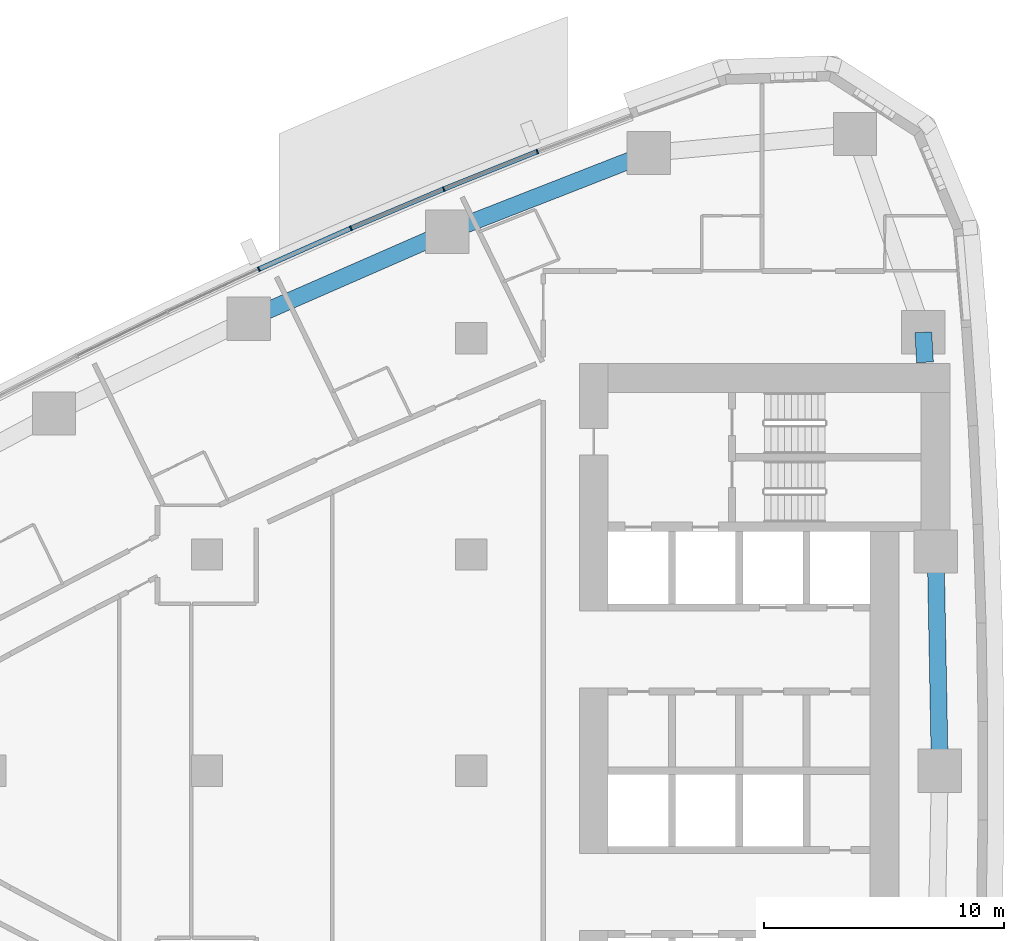
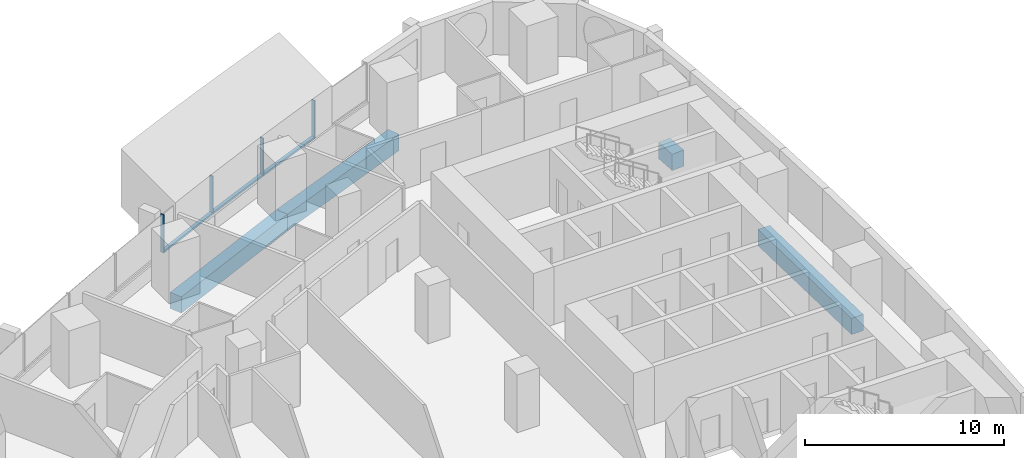
# One storey, part 6 of 19: 7 members, 4 beams, 2 elements without a shape of their own.
"""IFC4 building model written with IfcOpenShell, lengths in metres."""

from ifc_helpers import new_model, si_unit, direction, frame, origin, origin_2d, place, context, subcontext, project, spatial, rectangle, extrude, material, layer, layer_set, material_profile, profile_set, type_object, element, aggregate, save


model = new_model("IFC4")

# Units and contexts
model_context = context("Model", 3, precision=1e-05, world=origin(), true_north=direction((0.0, 1.0)))
body_context = subcontext(model_context, "Body", "Model", "MODEL_VIEW")
ifc_project = project(units=[si_unit("LENGTHUNIT", "METRE"), si_unit("AREAUNIT", "SQUARE_METRE"), si_unit("VOLUMEUNIT", "CUBIC_METRE"), si_unit("PLANEANGLEUNIT", "RADIAN"), si_unit("MASSUNIT", "GRAM", prefix="KILO")], contexts=[model_context])

# Site, building, storey
site_placement = place(None, origin())
site = spatial("IfcSite", under=ifc_project, at=site_placement, CompositionType="ELEMENT")
building_placement = place(site_placement, origin())
building = spatial("IfcBuilding", under=site, at=building_placement, Name="Ostrand Prow Hotel Tower", CompositionType="ELEMENT")
storey_placement = place(building_placement, frame((0.0, 0.0, 53.800048828125)))
storey = spatial("IfcBuildingStorey", under=building, at=storey_placement, Name="L11", CompositionType="ELEMENT", Elevation=53.800048828125)

# Beams
ifc_material_1 = material(Name="Concrete C80/95", Category="concrete")
ifc_material_profile_1 = material_profile(ifc_material_1, rectangle(XDim=0.699951171875, YDim=1.0, at=origin_2d()), Name="RC 700x1000")
ifc_profile_set_1 = profile_set([ifc_material_profile_1], Name="Concrete C80/95")
beam_type = type_object("IfcBeamType", Name="Edge beam 700x1000 C80/95", PredefinedType="SPANDREL", material=ifc_profile_set_1)
beam_1_placement = place(storey_placement, frame((64.5, 0.0, -0.800048828125), z_axis=(-0.018793471688, 0.999823387115, 0.0), x_axis=(-0.999823387115, -0.018793471688, 0.0)))
element("IfcBeam", 1, at=beam_1_placement, inside=storey, type_object=beam_type, Name="Edge beam B3-B4", PredefinedType="SPANDREL", context=body_context, shape_type="SweptSolid", body=[
    extrude(rectangle(XDim=0.699951171875, YDim=1.0, at=origin_2d()), origin(), (0.0, 0.0, 1.0), 9.132568359375),
])
beam_2_placement = place(storey_placement, frame((63.8837890625, 17.0, -0.800048828125), z_axis=(-0.056215946509, 0.998418633319, 0.0), x_axis=(-0.998418633319, -0.056215946509, 0.0)))
element("IfcBeam", 2, at=beam_2_placement, inside=storey, type_object=beam_type, Name="Edge beam B4-B5", PredefinedType="SPANDREL", context=body_context, shape_type="SweptSolid", body=[
    extrude(rectangle(XDim=0.699951171875, YDim=1.0, at=origin_2d()), origin(), (0.0, 0.0, 1.0), 1.250732421875),
])
for number, where, z_axis, x_axis, name in (
    (3, (52.3916015625, 25.710205078125, -0.800048828125), (-0.931329480916, -0.364177701098, 0.0), (0.364177701098, -0.931329480916, 0.0), "Edge beam N1-N2"),
    (4, (43.997802734375, 22.427978515625, -0.800048828125), (-0.916095776162, -0.400959510297, 0.0), (0.400959510297, -0.916095776162, 0.0), "Edge beam N2-N3"),
):
    element("IfcBeam", number, at=place(storey_placement, frame(where, z_axis=z_axis, x_axis=x_axis)), inside=storey, type_object=beam_type, Name=name, PredefinedType="SPANDREL", context=body_context, shape_type="SweptSolid", body=[
        extrude(rectangle(XDim=0.699951171875, YDim=1.0, at=origin_2d()), origin(), (0.0, 0.0, 1.0), 9.0126953125),
    ])

# Curtain wall, members
ifc_material_2 = material(Name="Insulated glass in bronze anodised frame", Category="glass")
ifc_layer = layer(ifc_material_2, 0.199951171875)
ifc_layer_set = layer_set([ifc_layer], Name="Insulated glass in bronze anodised frame")
curtain_wall_type = type_object("IfcCurtainWallType", Name="Strip curtain wall, fritted glass over bronze spandrel", PredefinedType="NOTDEFINED", material=ifc_layer_set)
curtain_wall_1_placement = place(storey_placement, origin())
curtain_wall_1 = element("IfcCurtainWall", 5, at=curtain_wall_1_placement, inside=storey, type_object=curtain_wall_type, Name="CW1 run CWN1", PredefinedType="NOTDEFINED")
ifc_material_3 = material(Name="Bronze anodised aluminium", Category="aluminium")
ifc_material_profile_2 = material_profile(ifc_material_3, rectangle(XDim=0.199951171875, YDim=0.06005859375, at=origin_2d()), Name="Mullion 60x200 bronze anodised aluminium")
ifc_profile_set_2 = profile_set([ifc_material_profile_2], Name="Bronze anodised aluminium")
member_type_1 = type_object("IfcMemberType", Name="Mullion 60x200 bronze anodised aluminium", PredefinedType="MULLION", material=ifc_profile_set_2)
member_1_placement = place(storey_placement, frame((47.7529296875, 25.769775390625, 0.89990234375), z_axis=(0.0, 0.0, 1.0), x_axis=(0.371873380669, -0.928283463577, 0.0)))
member_1 = element("IfcMember", 6, at=member_1_placement, type_object=member_type_1, Name="CW1 mullion 2", PredefinedType="MULLION", context=body_context, shape_type="SweptSolid", body=[
    extrude(rectangle(XDim=0.199951171875, YDim=0.06005859375, at=origin_2d()), origin(), (0.0, 0.0, 1.0), 2.35009765625),
])
member_2_placement = place(storey_placement, frame((43.859619140625, 24.210205078125, 0.89990234375), z_axis=(0.0, 0.0, 1.0), x_axis=(0.371873380669, -0.928283463577, 0.0)))
member_2 = element("IfcMember", 7, at=member_2_placement, type_object=member_type_1, Name="CW1 mullion 3", PredefinedType="MULLION", context=body_context, shape_type="SweptSolid", body=[
    extrude(rectangle(XDim=0.199951171875, YDim=0.06005859375, at=origin_2d()), origin(), (0.0, 0.0, 1.0), 2.35009765625),
])

curtain_wall_2_placement = place(storey_placement, origin())
curtain_wall_2 = element("IfcCurtainWall", 8, at=curtain_wall_2_placement, inside=storey, type_object=curtain_wall_type, Name="CW1 run CWN2", PredefinedType="NOTDEFINED")
member_3_placement = place(storey_placement, frame((39.99560546875, 22.5791015625, 0.89990234375), z_axis=(0.0, 0.0, 1.0), x_axis=(0.405779757666, -0.913970890274, 0.0)))
member_3 = element("IfcMember", 9, at=member_3_placement, type_object=member_type_1, Name="CW1 mullion 2", PredefinedType="MULLION", context=body_context, shape_type="SweptSolid", body=[
    extrude(rectangle(XDim=0.199951171875, YDim=0.06005859375, at=origin_2d()), origin(), (0.0, 0.0, 1.0), 2.35009765625),
])
member_4_placement = place(storey_placement, frame((36.162109375, 20.876953125, 0.89990234375), z_axis=(0.0, 0.0, 1.0), x_axis=(0.405779757666, -0.913970890274, 0.0)))
member_4 = element("IfcMember", 10, at=member_4_placement, type_object=member_type_1, Name="CW1 mullion 3", PredefinedType="MULLION", context=body_context, shape_type="SweptSolid", body=[
    extrude(rectangle(XDim=0.199951171875, YDim=0.06005859375, at=origin_2d()), origin(), (0.0, 0.0, 1.0), 2.35009765625),
])

# Member
ifc_material_4 = material(Name="Bronze anodised aluminium", Category="aluminium")
ifc_material_profile_3 = material_profile(ifc_material_4, rectangle(XDim=0.199951171875, YDim=0.1201171875, at=origin_2d()), Name="Transom 120x200 bronze anodised aluminium")
ifc_profile_set_3 = profile_set([ifc_material_profile_3], Name="Bronze anodised aluminium")
member_type_2 = type_object("IfcMemberType", Name="Transom 120x200 bronze anodised aluminium", PredefinedType="USERDEFINED", material=ifc_profile_set_3)
member_5_placement = place(storey_placement, frame((47.72509765625, 25.7587890625, 0.9599609375), z_axis=(-0.928264761225, -0.371920062739, 0.0), x_axis=(0.371920062739, -0.928264761225, 0.0)))
member_5 = element("IfcMember", 11, at=member_5_placement, type_object=member_type_2, Name="CW1 transom 2.1", ObjectType="TRANSOM", PredefinedType="USERDEFINED", context=body_context, shape_type="SweptSolid", body=[
    extrude(rectangle(XDim=0.199951171875, YDim=0.1201171875, at=origin_2d()), origin(), (0.0, 0.0, 1.0), 4.13427734375),
])

aggregate(curtain_wall_1, [member_1, member_2, member_5])

member_6_placement = place(storey_placement, frame((43.831787109375, 24.198486328125, 0.9599609375), z_axis=(-0.921284828297, -0.388888499637, 0.0), x_axis=(0.388888499637, -0.921284828297, 0.0)))
member_6 = element("IfcMember", 12, at=member_6_placement, type_object=member_type_2, Name="CW1 transom 1.1", ObjectType="TRANSOM", PredefinedType="USERDEFINED", context=body_context, shape_type="SweptSolid", body=[
    extrude(rectangle(XDim=0.199951171875, YDim=0.1201171875, at=origin_2d()), origin(), (0.0, 0.0, 1.0), 4.134033203125),
])

member_7_placement = place(storey_placement, frame((39.968017578125, 22.56689453125, 0.9599609375), z_axis=(-0.913957599094, -0.405809693156, 0.0), x_axis=(0.405809693156, -0.913957599094, 0.0)))
member_7 = element("IfcMember", 13, at=member_7_placement, type_object=member_type_2, Name="CW1 transom 2.1", ObjectType="TRANSOM", PredefinedType="USERDEFINED", context=body_context, shape_type="SweptSolid", body=[
    extrude(rectangle(XDim=0.199951171875, YDim=0.1201171875, at=origin_2d()), origin(), (0.0, 0.0, 1.0), 4.13427734375),
])

aggregate(curtain_wall_2, [member_3, member_4, member_6, member_7])

save(model, "model.ifc")
